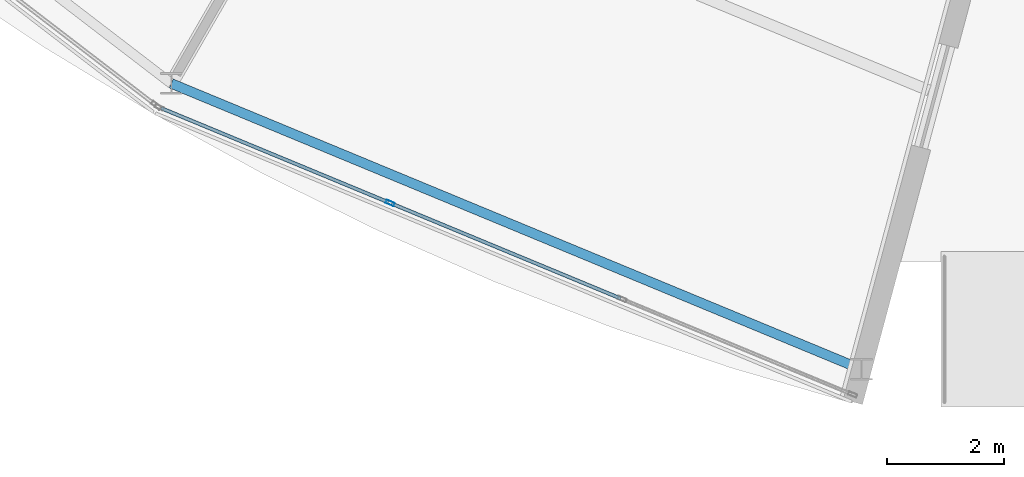
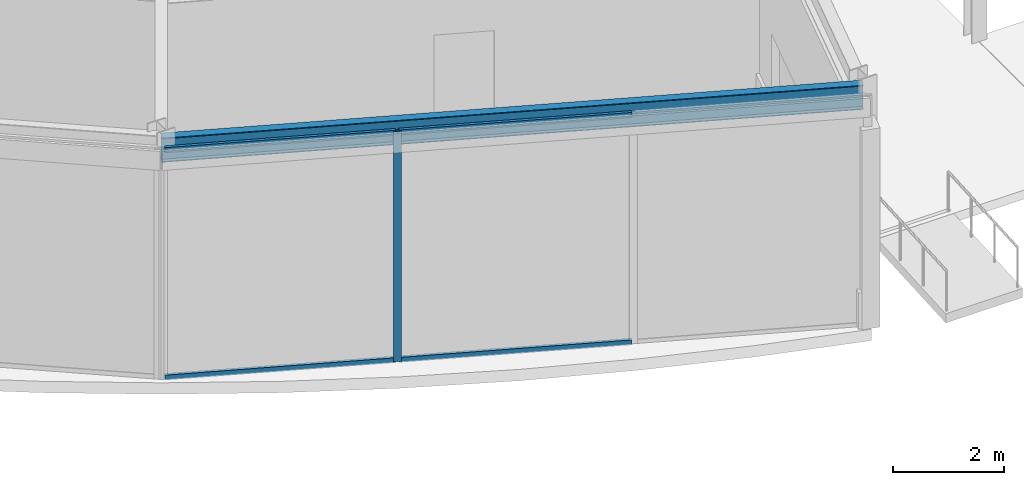
# One storey, part 27 of 168: 5 members, 1 beam, 1 element without a shape of its own.
"""IFC4 building model written with IfcOpenShell, lengths in metres."""

from ifc_helpers import new_model, si_unit, direction, frame, origin, origin_2d, place, context, subcontext, project, spatial, hollow_rectangle, i_section, extrude, material, material_profile, profile_set, type_object, element, aggregate, save


model = new_model("IFC4")

# Units and contexts
model_context = context("Model", 3, precision=1e-05, world=origin(), true_north=direction((0.0, 1.0)))
body_context = subcontext(model_context, "Body", "Model", "MODEL_VIEW")
ifc_project = project(units=[si_unit("LENGTHUNIT", "METRE"), si_unit("AREAUNIT", "SQUARE_METRE"), si_unit("VOLUMEUNIT", "CUBIC_METRE"), si_unit("PLANEANGLEUNIT", "RADIAN"), si_unit("MASSUNIT", "GRAM", prefix="KILO")], contexts=[model_context])

# Site, building, storey
site_placement = place(None, origin())
site = spatial("IfcSite", under=ifc_project, at=site_placement, CompositionType="ELEMENT")
building_placement = place(site_placement, origin())
building = spatial("IfcBuilding", under=site, at=building_placement, Name="Almandine Court Research Institute", CompositionType="ELEMENT")
storey_placement = place(building_placement, origin())
storey = spatial("IfcBuildingStorey", under=building, at=storey_placement, Name="L00", CompositionType="ELEMENT", Elevation=0.0)

# Beam
ifc_material_1 = material(Name="Steel ASTM A992 Grade 50", Category="steel")
ifc_material_profile_1 = material_profile(ifc_material_1, i_section(OverallWidth=0.166015625, OverallDepth=0.534912109375, WebThickness=0.010009765625, FlangeThickness=0.01708984375, at=origin_2d()), Name="W530x85")
ifc_profile_set_1 = profile_set([ifc_material_profile_1], Name="Steel ASTM A992 Grade 50")
beam_type = type_object("IfcBeamType", Name="Beam-G-05-E", PredefinedType="SPANDREL", material=ifc_profile_set_1)
beam_placement = place(storey_placement, frame((62.550048828125, 13.65087890625, 4.756103515625), z_axis=(0.923891897665, -0.382653578879, 0.0), x_axis=(0.382653578879, 0.923891897665, 0.0)))
element("IfcBeam", 1, at=beam_placement, inside=storey, type_object=beam_type, Name="L00 Drum OUT Ring Beam 16", PredefinedType="SPANDREL", context=body_context, shape_type="SweptSolid", body=[
    extrude(i_section(OverallWidth=0.166015625, OverallDepth=0.534912109375, WebThickness=0.010009765625, FlangeThickness=0.01708984375, at=origin_2d()), origin(), (0.0, 0.0, 1.0), 12.765625),
])

# Curtain wall, members
ifc_material_2 = material(Name="Unitised Curtain Wall Framing and Solar Glazing", Category="glass")
curtain_wall_type = type_object("IfcCurtainWallType", Name="CW-CWG-18", PredefinedType="USERDEFINED", material=ifc_material_2)
curtain_wall_placement = place(storey_placement, origin())
curtain_wall = element("IfcCurtainWall", 2, at=curtain_wall_placement, inside=storey, type_object=curtain_wall_type, Name="L00 Stacked-Ring Drum Outer Unitised Glazing 16", ObjectType="UNITISED GLAZING", PredefinedType="USERDEFINED")
ifc_material_3 = material(Name="Anodised Aluminium AW-6063-T6", Category="aluminium")
ifc_material_profile_2 = material_profile(ifc_material_3, hollow_rectangle(XDim=0.06005859375, YDim=0.14990234375, WallThickness=0.00390625, at=origin_2d()), Name="ALU RHS 60x150x4")
ifc_profile_set_2 = profile_set([ifc_material_profile_2], Name="Anodised Aluminium AW-6063-T6")
member_type_1 = type_object("IfcMemberType", Name="CWMul-60x150", PredefinedType="MULLION", material=ifc_profile_set_2)
member_1_placement = place(storey_placement, frame((66.2890625, 11.6083984375, 0.0), z_axis=(0.0, 0.0, 1.0), x_axis=(-0.382662689242, -0.923888124321, 0.0)))
member_1 = element("IfcMember", 3, at=member_1_placement, type_object=member_type_1, Name="CWG-18 mullion 3", PredefinedType="MULLION", context=body_context, shape_type="SweptSolid", body=[
    extrude(hollow_rectangle(XDim=0.06005859375, YDim=0.14990234375, WallThickness=0.00390625, at=origin_2d()), origin(), (0.0, 0.0, 1.0), 5.070068359375),
])
ifc_material_profile_3 = material_profile(ifc_material_3, hollow_rectangle(XDim=0.06005859375, YDim=0.110107421875, WallThickness=0.00390625, at=origin_2d()), Name="ALU RHS 60x110x4")
ifc_profile_set_3 = profile_set([ifc_material_profile_3], Name="Anodised Aluminium AW-6063-T6")
member_type_2 = type_object("IfcMemberType", Name="CWTrn-60x110", PredefinedType="NOTDEFINED", material=ifc_profile_set_3)
member_2_placement = place(storey_placement, frame((70.227294921875, 9.97705078125, 0.030029296875), z_axis=(-0.92387693948, 0.382689692437, 0.0), x_axis=(-0.382689692437, -0.92387693948, 0.0)))
member_2 = element("IfcMember", 4, at=member_2_placement, type_object=member_type_2, Name="CWG-18 transom 2.1", ObjectType="TRANSOM", PredefinedType="USERDEFINED", context=body_context, shape_type="SweptSolid", body=[
    extrude(hollow_rectangle(XDim=0.06005859375, YDim=0.110107421875, WallThickness=0.00390625, at=origin_2d()), origin(), (0.0, 0.0, 1.0), 4.23291015625),
])
member_3_placement = place(storey_placement, frame((70.227294921875, 9.97705078125, 5.0400390625), z_axis=(-0.92387693948, 0.382689692437, 0.0), x_axis=(-0.382689692437, -0.92387693948, 0.0)))
member_3 = element("IfcMember", 5, at=member_3_placement, type_object=member_type_2, Name="CWG-18 transom 2.2", ObjectType="TRANSOM", PredefinedType="USERDEFINED", context=body_context, shape_type="SweptSolid", body=[
    extrude(hollow_rectangle(XDim=0.06005859375, YDim=0.110107421875, WallThickness=0.00390625, at=origin_2d()), origin(), (0.0, 0.0, 1.0), 4.23291015625),
])
member_4_placement = place(storey_placement, frame((66.26123046875, 11.619873046875, 0.030029296875), z_axis=(-0.923892933282, 0.382651078441, 0.0), x_axis=(-0.382651078441, -0.923892933282, 0.0)))
member_4 = element("IfcMember", 6, at=member_4_placement, type_object=member_type_2, Name="CWG-18 transom 3.1", ObjectType="TRANSOM", PredefinedType="USERDEFINED", context=body_context, shape_type="SweptSolid", body=[
    extrude(hollow_rectangle(XDim=0.06005859375, YDim=0.110107421875, WallThickness=0.00390625, at=origin_2d()), origin(), (0.0, 0.0, 1.0), 4.20263671875),
])
member_5_placement = place(storey_placement, frame((66.26123046875, 11.619873046875, 5.0400390625), z_axis=(-0.923892933282, 0.382651078441, 0.0), x_axis=(-0.382651078441, -0.923892933282, 0.0)))
member_5 = element("IfcMember", 7, at=member_5_placement, type_object=member_type_2, Name="CWG-18 transom 3.2", ObjectType="TRANSOM", PredefinedType="USERDEFINED", context=body_context, shape_type="SweptSolid", body=[
    extrude(hollow_rectangle(XDim=0.06005859375, YDim=0.110107421875, WallThickness=0.00390625, at=origin_2d()), origin(), (0.0, 0.0, 1.0), 4.20263671875),
])
aggregate(curtain_wall, [member_1, member_2, member_3, member_4, member_5])

save(model, "model.ifc")
